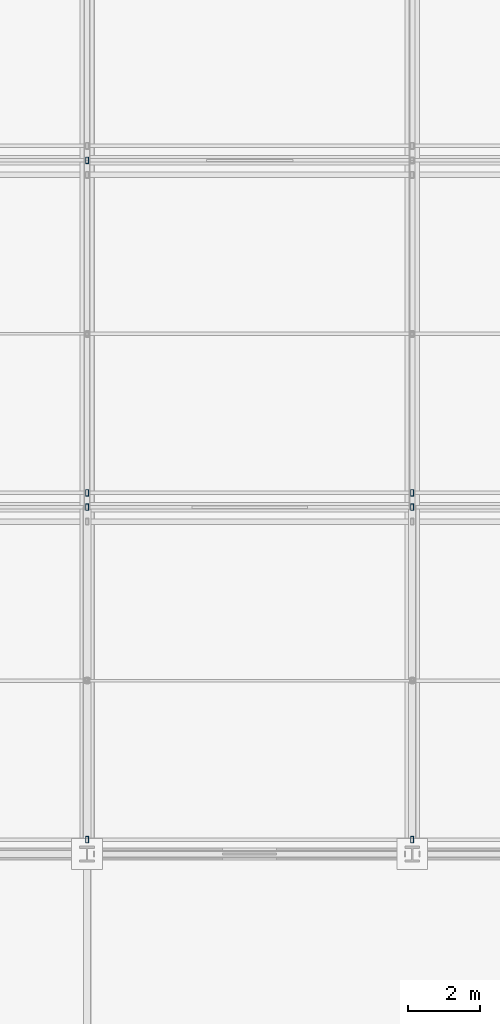
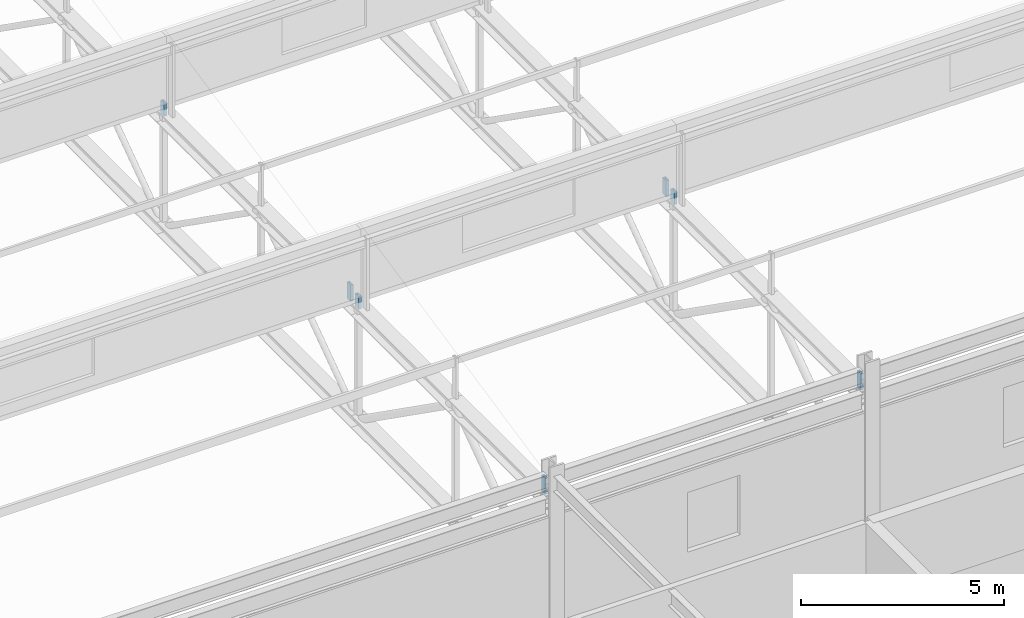
# One storey, part 79 of 136: 7 members.
"""IFC4 building model written with IfcOpenShell, lengths in metres."""

from ifc_helpers import new_model, si_unit, direction, frame, origin, origin_2d, place, context, subcontext, project, spatial, hollow_rectangle, extrude, material, material_profile, profile_set, type_object, element, save


model = new_model("IFC4")

# Units and contexts
model_context = context("Model", 3, precision=1e-05, world=origin(), true_north=direction((0.0, 1.0)))
body_context = subcontext(model_context, "Body", "Model", "MODEL_VIEW")
ifc_project = project(units=[si_unit("LENGTHUNIT", "METRE"), si_unit("AREAUNIT", "SQUARE_METRE"), si_unit("VOLUMEUNIT", "CUBIC_METRE"), si_unit("PLANEANGLEUNIT", "RADIAN"), si_unit("MASSUNIT", "GRAM", prefix="KILO")], contexts=[model_context])

# Site, building, storey
site_placement = place(None, origin())
site = spatial("IfcSite", under=ifc_project, at=site_placement, CompositionType="ELEMENT")
building_placement = place(site_placement, origin())
building = spatial("IfcBuilding", under=site, at=building_placement, Name="Kisiwana Market Hall", CompositionType="ELEMENT")
storey_placement = place(building_placement, frame((0.0, 0.0, 16.800048828125)))
storey = spatial("IfcBuildingStorey", under=building, at=storey_placement, Name="L03", CompositionType="ELEMENT", Elevation=16.800048828125)

# Members
ifc_material = material(Name="Steel S355", Category="steel")
ifc_material_profile = material_profile(ifc_material, hollow_rectangle(XDim=0.080078125, YDim=0.179931640625, WallThickness=0.00634765625, at=origin_2d()), Name="RHS 180x80x6.3")
ifc_profile_set = profile_set([ifc_material_profile], Name="Steel S355")
member_type = type_object("IfcMemberType", Name="MB-CAN-STRUT", PredefinedType="STRUT", material=ifc_profile_set)
member_1_placement = place(storey_placement, frame((81.0, 36.39990234375, 3.619873046875), z_axis=(0.0, 0.0, 1.0), x_axis=(1.0, 0.0, 0.0)))
element("IfcMember", 1, at=member_1_placement, inside=storey, type_object=member_type, Name="Sawtooth raker post 159 M-0230", PredefinedType="STRUT", context=body_context, shape_type="SweptSolid", body=[
    extrude(hollow_rectangle(XDim=0.080078125, YDim=0.179931640625, WallThickness=0.00634765625, at=origin_2d()), origin(), (0.0, 0.0, 1.0), 0.485107421875),
])
member_2_placement = place(storey_placement, frame((81.0, 45.60009765625, 3.619873046875), z_axis=(0.0, 0.0, 1.0), x_axis=(1.0, 0.0, 0.0)))
element("IfcMember", 2, at=member_2_placement, inside=storey, type_object=member_type, Name="Sawtooth raker post 161 M-0232", PredefinedType="STRUT", context=body_context, shape_type="SweptSolid", body=[
    extrude(hollow_rectangle(XDim=0.080078125, YDim=0.179931640625, WallThickness=0.00634765625, at=origin_2d()), origin(), (0.0, 0.0, 1.0), 0.385009765625),
])
member_3_placement = place(storey_placement, frame((90.0, 36.39990234375, 3.619873046875), z_axis=(0.0, 0.0, 1.0), x_axis=(1.0, 0.0, 0.0)))
element("IfcMember", 3, at=member_3_placement, inside=storey, type_object=member_type, Name="Sawtooth raker post 162 M-0233", PredefinedType="STRUT", context=body_context, shape_type="SweptSolid", body=[
    extrude(hollow_rectangle(XDim=0.080078125, YDim=0.179931640625, WallThickness=0.00634765625, at=origin_2d()), origin(), (0.0, 0.0, 1.0), 0.485107421875),
])
member_4_placement = place(storey_placement, frame((90.0, 45.60009765625, 3.619873046875), z_axis=(0.0, 0.0, 1.0), x_axis=(1.0, 0.0, 0.0)))
element("IfcMember", 4, at=member_4_placement, inside=storey, type_object=member_type, Name="Sawtooth raker post 164 M-0235", PredefinedType="STRUT", context=body_context, shape_type="SweptSolid", body=[
    extrude(hollow_rectangle(XDim=0.080078125, YDim=0.179931640625, WallThickness=0.00634765625, at=origin_2d()), origin(), (0.0, 0.0, 1.0), 0.385009765625),
])
member_5_placement = place(storey_placement, frame((81.0, 46.0, 3.619873046875), z_axis=(0.0, 0.0, 1.0), x_axis=(1.0, 0.0, 0.0)))
element("IfcMember", 5, at=member_5_placement, inside=storey, type_object=member_type, Name="Sawtooth raker post 204 M-0254", PredefinedType="STRUT", context=body_context, shape_type="SweptSolid", body=[
    extrude(hollow_rectangle(XDim=0.080078125, YDim=0.179931640625, WallThickness=0.00634765625, at=origin_2d()), origin(), (0.0, 0.0, 1.0), 0.485107421875),
])
member_6_placement = place(storey_placement, frame((81.0, 55.199951171875, 3.619873046875), z_axis=(0.0, 0.0, 1.0), x_axis=(1.0, 0.0, 0.0)))
element("IfcMember", 6, at=member_6_placement, inside=storey, type_object=member_type, Name="Sawtooth raker post 206 M-0256", PredefinedType="STRUT", context=body_context, shape_type="SweptSolid", body=[
    extrude(hollow_rectangle(XDim=0.080078125, YDim=0.179931640625, WallThickness=0.00634765625, at=origin_2d()), origin(), (0.0, 0.0, 1.0), 0.385009765625),
])
member_7_placement = place(storey_placement, frame((90.0, 46.0, 3.619873046875), z_axis=(0.0, 0.0, 1.0), x_axis=(1.0, 0.0, 0.0)))
element("IfcMember", 7, at=member_7_placement, inside=storey, type_object=member_type, Name="Sawtooth raker post 207 M-0257", PredefinedType="STRUT", context=body_context, shape_type="SweptSolid", body=[
    extrude(hollow_rectangle(XDim=0.080078125, YDim=0.179931640625, WallThickness=0.00634765625, at=origin_2d()), origin(), (0.0, 0.0, 1.0), 0.485107421875),
])

save(model, "model.ifc")
